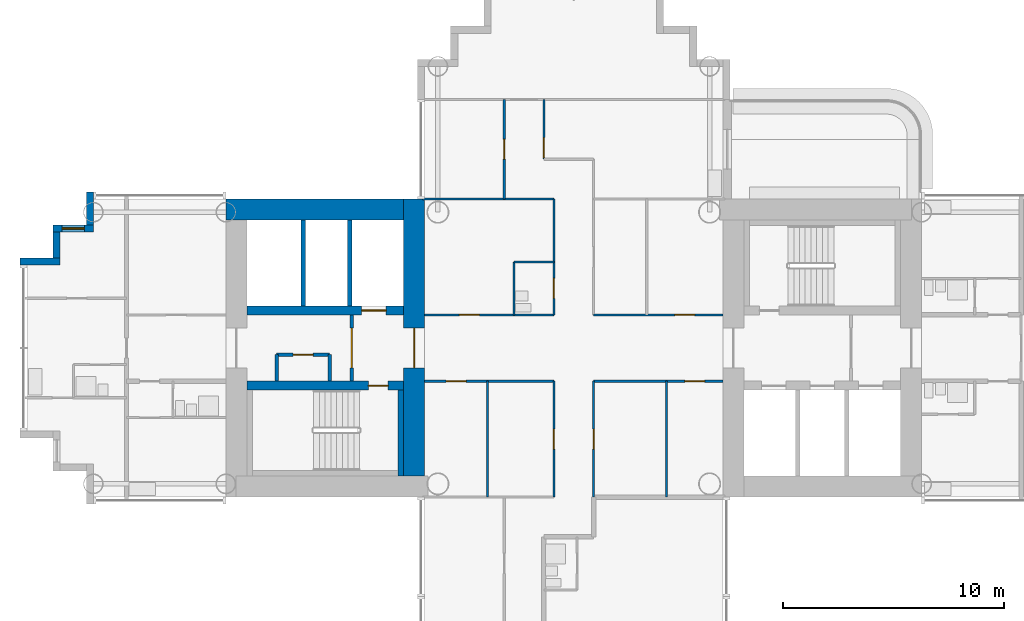
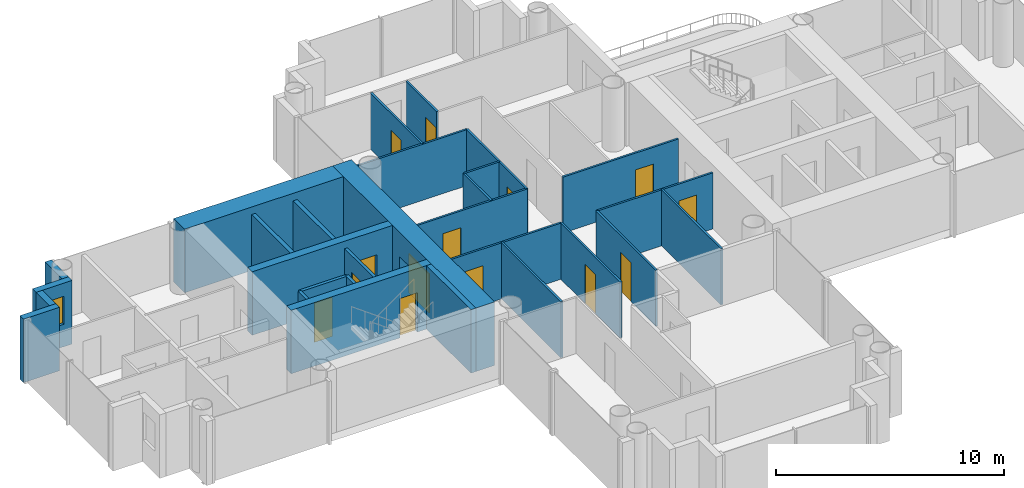
# One storey, part 10 of 22: 29 walls, 14 doors, 1 window, 15 openings.
"""IFC4 building model written with IfcOpenShell, lengths in metres."""

import ifcopenshell
import ifcopenshell.guid

model = None  # the IFC model being written
_history = None  # IfcOwnerHistory: only IFC2X3 demands one
_inside = {}  # id of a spatial element -> (the spatial element, [elements in it])
_under = {}  # id of a project, library or spatial element -> (it, [spatial elements below it])
_declared = {}  # id of a project -> (the project, [libraries it declares])
_typed = {}  # id of a type object -> (the type object, [elements of that type])
_made_of = {}  # id of a material, layer set ... -> (it, [elements and type objects made of it])


def new_model(schema):
    """Start an empty IFC model of exactly this schema.

    Asked for "IFC4X3", IfcOpenShell would pick the latest addendum, in which some entities
    have other attributes; the version numbers below select the first issue.
    IFC2X3 requires an IfcOwnerHistory on every rooted entity: one is made here for all.
    """
    global model, _history
    if schema == "IFC4X3":
        model = ifcopenshell.file(schema_version=(4, 3, 0, 0))
    else:
        model = ifcopenshell.file(schema=schema)
    _inside.clear()
    _under.clear()
    _declared.clear()
    _typed.clear()
    _made_of.clear()
    _history = None
    if model.schema == "IFC2X3":
        org = make("IfcOrganization", Name="unknown")
        user = make(
            "IfcPersonAndOrganization",
            ThePerson=make("IfcPerson", FamilyName="unknown"),
            TheOrganization=org,
        )
        app = make(
            "IfcApplication",
            ApplicationDeveloper=org,
            Version="unknown",
            ApplicationFullName="unknown",
            ApplicationIdentifier="unknown",
        )
        _history = make(
            "IfcOwnerHistory",
            OwningUser=user,
            OwningApplication=app,
            ChangeAction="ADDED",
            CreationDate=0,
        )
    return model


def make(cls, **values):
    """One entity of the class cls with the attributes given. An attribute that is None is left unset."""
    return model.create_entity(
        cls, **{name: value for name, value in values.items() if value is not None}
    )


def rooted(cls, **values):
    """An entity with a GlobalId (a new one), such as an element, a storey or a relation."""
    return make(cls, GlobalId=ifcopenshell.guid.new(), OwnerHistory=_history, **values)


def si_unit(unit_type, name, prefix=None):
    """IfcSIUnit, for example si_unit("LENGTHUNIT", "METRE", prefix="MILLI")."""
    return make("IfcSIUnit", UnitType=unit_type, Prefix=prefix, Name=name)


def assignment(units):
    """IfcUnitAssignment: the units of a project."""
    return None if units is None else make("IfcUnitAssignment", Units=units)


def point(xyz):
    """IfcCartesianPoint."""
    return None if xyz is None else make("IfcCartesianPoint", Coordinates=xyz)


def direction(xyz):
    """IfcDirection."""
    return None if xyz is None else make("IfcDirection", DirectionRatios=xyz)


def frame(location, z_axis=None, x_axis=None):
    """IfcAxis2Placement3D, a coordinate frame: its origin and axes. An axis left out is left unset."""
    return make(
        "IfcAxis2Placement3D",
        Location=point(location),
        Axis=direction(z_axis),
        RefDirection=direction(x_axis),
    )


def frame_2d(location, x_axis=None):
    """IfcAxis2Placement2D, a coordinate frame in the plane: its origin and x axis."""
    return make(
        "IfcAxis2Placement2D", Location=point(location), RefDirection=direction(x_axis)
    )


def origin():
    """The frame at (0, 0, 0) with its axes left unset."""
    return frame((0.0, 0.0, 0.0))


def place(relative_to, where):
    """IfcLocalPlacement: puts the frame where relative to a parent placement (None: the world)."""
    return make(
        "IfcLocalPlacement", PlacementRelTo=relative_to, RelativePlacement=where
    )


def context(
    kind, dimensions, precision=None, world=None, true_north=None, identifier=None
):
    """IfcGeometricRepresentationContext, for example the 3D "Model" context."""
    return make(
        "IfcGeometricRepresentationContext",
        ContextIdentifier=identifier,
        ContextType=kind,
        CoordinateSpaceDimension=dimensions,
        Precision=precision,
        WorldCoordinateSystem=world,
        TrueNorth=true_north,
    )


def subcontext(parent, identifier, kind, view, scale=None):
    """IfcGeometricRepresentationSubContext, for example "Body" below "Model"."""
    return make(
        "IfcGeometricRepresentationSubContext",
        ContextIdentifier=identifier,
        ContextType=kind,
        ParentContext=parent,
        TargetScale=scale,
        TargetView=view,
    )


def project(units=None, contexts=None):
    """IfcProject with its units and contexts."""
    return rooted(
        "IfcProject",
        Name="project",
        RepresentationContexts=contexts,
        UnitsInContext=assignment(units),
    )


def spatial(cls, under=None, at=None, **own):
    """A site, building, storey or space (cls), placed at a placement, below another one or the project."""
    s = rooted(cls, ObjectPlacement=at, **own)
    if under is not None:
        _under.setdefault(under.id(), (under, []))[1].append(s)
    return s


def profile(cls, at=None, kind="AREA", **sizes):
    """A parametric profile (cls). Its sizes go by their IFC names, for example OverallWidth=200.0."""
    return make(cls, ProfileType=kind, Position=at, **sizes)


def rectangle(**sizes):
    """IfcRectangleProfileDef."""
    return profile("IfcRectangleProfileDef", **sizes)


def extrude(swept, where, along, depth):
    """IfcExtrudedAreaSolid: the profile swept, set in the frame where, extruded along a direction by depth."""
    return make(
        "IfcExtrudedAreaSolid",
        SweptArea=swept,
        Position=where,
        ExtrudedDirection=direction(along),
        Depth=depth,
    )


def shape(context_of_items, identifier, shape_type, items):
    """IfcShapeRepresentation: the items that make up one representation, for example the "Body"."""
    return make(
        "IfcShapeRepresentation",
        ContextOfItems=context_of_items,
        RepresentationIdentifier=identifier,
        RepresentationType=shape_type,
        Items=items,
    )


def material(Name=None, Category=None):
    """IfcMaterial."""
    return make("IfcMaterial", Name=Name, Category=Category)


def layer(
    of_material, thickness, ventilated=None, Name=None, Category=None, Priority=None
):
    """IfcMaterialLayer: one layer of a wall or slab, of a material (None: an air gap)."""
    return make(
        "IfcMaterialLayer",
        Material=of_material,
        LayerThickness=thickness,
        IsVentilated=ventilated,
        Name=Name,
        Category=Category,
        Priority=Priority,
    )


def layer_set(layers, Name=None):
    """IfcMaterialLayerSet."""
    return make("IfcMaterialLayerSet", MaterialLayers=layers, LayerSetName=Name)


def made_of(thing, what):
    """Note that an element or type object is made of a material, layer set ...; save() writes the relation."""
    if what is not None:
        _made_of.setdefault(what.id(), (what, []))[1].append(thing)
    return thing


def type_object(cls, material=None, **own):
    """A type object (cls), such as IfcWallType, which elements share."""
    return made_of(rooted(cls, **own), material)


def element(
    cls,
    number,
    at=None,
    inside=None,
    cuts=None,
    type_object=None,
    material=None,
    context=None,
    identifier="Body",
    shape_type=None,
    held_by="IfcProductDefinitionShape",
    body=None,
    shapes=None,
    **own,
):
    """One element of the class cls, such as IfcWall. Its Tag is "e" and its number.

    at: its placement. inside: the storey or other place that contains it. cuts: it is an
    opening in that element (IfcRelVoidsElement). A single representation is given by context,
    identifier, shape_type and body (its items); several are given by shapes. held_by: the class
    of the entity that holds the representations. save() writes the other relations.
    """
    e = rooted(cls, Tag="e%d" % number, ObjectPlacement=at, **own)
    if body is not None:
        shapes = [shape(context, identifier, shape_type, body)]
    if shapes is not None:
        e.Representation = make(held_by, Representations=shapes)
    if inside is not None:
        _inside.setdefault(inside.id(), (inside, []))[1].append(e)
    if cuts is not None:
        rooted(
            "IfcRelVoidsElement", RelatingBuildingElement=cuts, RelatedOpeningElement=e
        )
    if type_object is not None:
        _typed.setdefault(type_object.id(), (type_object, []))[1].append(e)
    return made_of(e, material)


def fill(opening, filler):
    """IfcRelFillsElement: the door or window that sits in an opening."""
    return rooted(
        "IfcRelFillsElement",
        RelatingOpeningElement=opening,
        RelatedBuildingElement=filler,
    )


def aggregate(whole, parts):
    """IfcRelAggregates: a whole, such as a stair, and the parts it consists of."""
    return rooted("IfcRelAggregates", RelatingObject=whole, RelatedObjects=parts)


def save(model, path):
    """Write the relations noted so far, then the file.

    IfcRelAggregates (storeys below a building ...), IfcRelContainedInSpatialStructure (elements
    in a storey), IfcRelDefinesByType, IfcRelAssociatesMaterial and IfcRelDeclares: one each for
    every whole, place, type object, material and project.
    """
    for whole, parts in _under.values():
        aggregate(whole, parts)
    for where, things in _inside.values():
        rooted(
            "IfcRelContainedInSpatialStructure",
            RelatedElements=things,
            RelatingStructure=where,
        )
    for kind, things in _typed.values():
        rooted("IfcRelDefinesByType", RelatedObjects=things, RelatingType=kind)
    for what, things in _made_of.values():
        rooted("IfcRelAssociatesMaterial", RelatedObjects=things, RelatingMaterial=what)
    for by, libraries in _declared.values():
        rooted("IfcRelDeclares", RelatingContext=by, RelatedDefinitions=libraries)
    model.write(path)


model = new_model("IFC4")

# Units and contexts
model_context = context("Model", 3, precision=1e-05, world=origin(), true_north=direction((0.0, 1.0)))
body_context = subcontext(model_context, "Body", "Model", "MODEL_VIEW")
ifc_project = project(units=[si_unit("LENGTHUNIT", "METRE"), si_unit("AREAUNIT", "SQUARE_METRE"), si_unit("VOLUMEUNIT", "CUBIC_METRE"), si_unit("PLANEANGLEUNIT", "RADIAN"), si_unit("MASSUNIT", "GRAM", prefix="KILO")], contexts=[model_context])

# Site, building, storey
site_placement = place(None, origin())
site = spatial("IfcSite", under=ifc_project, at=site_placement, CompositionType="ELEMENT")
building_placement = place(site_placement, origin())
building = spatial("IfcBuilding", under=site, at=building_placement, Name="Ipe Terrace Towers", CompositionType="ELEMENT")
storey_placement = place(building_placement, frame((0.0, 0.0, 110.60009765625)))
storey = spatial("IfcBuildingStorey", under=building, at=storey_placement, Name="L30", CompositionType="ELEMENT", Elevation=110.60009765625)

# Wall
ifc_material_1 = material(Name="Concrete C40/50 with buff precast cladding", Category="concrete")
ifc_layer_1 = layer(ifc_material_1, 0.320068359375)
ifc_layer_set_1 = layer_set([ifc_layer_1], Name="BUFF CLADDING WALL 320")
wall_type_1 = type_object("IfcWallType", Name="BUFF CLADDING WALL 320", PredefinedType="STANDARD", material=ifc_layer_set_1)
wall_1_placement = place(storey_placement, frame((-57.909912109375, 7.070068359375, -0.300048828125), z_axis=(0.0, 0.0, 1.0), x_axis=(0.0, -1.0, 0.0)))
element("IfcWall", 1, at=wall_1_placement, inside=storey, type_object=wall_type_1, Name="T1-W-L30-47a wall", PredefinedType="STANDARD", context=body_context, shape_type="SweptSolid", body=[
    extrude(rectangle(XDim=1.5, YDim=0.320068359375, at=frame_2d((0.75, 0.0))), origin(), (0.0, 0.0, 1.0), 3.39990234375),
])

# Wall, opening, window
wall_2_placement = place(storey_placement, frame((-57.75, 5.409912109375, -0.300048828125), z_axis=(0.0, 0.0, 1.0), x_axis=(-1.0, 0.0, 0.0)))
wall_2 = element("IfcWall", 2, at=wall_2_placement, inside=storey, type_object=wall_type_1, Name="T1-W-L30-48a wall", PredefinedType="STANDARD", context=body_context, shape_type="SweptSolid", body=[
    extrude(rectangle(XDim=1.820068359375, YDim=0.320068359375, at=frame_2d((0.91015625, 0.0))), origin(), (0.0, 0.0, 1.0), 3.39990234375),
])
opening_1_placement = place(wall_2_placement, frame((0.409912109375, 0.0, 1.199951171875)))
opening_1 = element("IfcOpeningElement", 3, at=opening_1_placement, cuts=wall_2, Name="Opening T1-W-05-L30-02", PredefinedType="OPENING", context=body_context, shape_type="SweptSolid", body=[
    extrude(rectangle(XDim=1.0, YDim=1.5, at=frame_2d((0.5, 0.75))), frame((0.0, 0.169921875, 0.0), z_axis=(0.0, -1.0, 0.0), x_axis=(1.0, 0.0, 0.0)), (0.0, 0.0, 1.0), 0.340087890625),
])
ifc_material_2 = material(Name="Glass, clear laminated", Category="glass")
window_type = type_object("IfcWindowType", Name="DWELLING WINDOW 1000 x 1500", PartitioningType="SINGLE_PANEL", PredefinedType="WINDOW", material=ifc_material_2)
window_placement = place(opening_1_placement, origin())
window = element("IfcWindow", 4, at=window_placement, inside=storey, type_object=window_type, Name="W-05 window", OverallHeight=1.5, OverallWidth=1.0, PartitioningType="SINGLE_PANEL", PredefinedType="WINDOW", context=body_context, shape_type="SweptSolid", body=[
    extrude(rectangle(XDim=1.0, YDim=1.5, at=frame_2d((0.5, 0.75))), frame((0.0, 0.030029296875, 0.0), z_axis=(0.0, -1.0, 0.0), x_axis=(1.0, 0.0, 0.0)), (0.0, 0.0, 1.0), 0.06005859375),
])
fill(opening_1, window)

# Walls
wall_3_placement = place(storey_placement, frame((-59.409912109375, 5.25, -0.300048828125), z_axis=(0.0, 0.0, 1.0), x_axis=(0.0, -1.0, 0.0)))
element("IfcWall", 5, at=wall_3_placement, inside=storey, type_object=wall_type_1, Name="T1-W-L30-49a wall", PredefinedType="STANDARD", context=body_context, shape_type="SweptSolid", body=[
    extrude(rectangle(XDim=1.179931640625, YDim=0.320068359375, at=frame_2d((0.58984375, 0.0))), origin(), (0.0, 0.0, 1.0), 3.39990234375),
])
wall_4_placement = place(storey_placement, frame((-59.25, 3.909912109375, -0.300048828125), z_axis=(0.0, 0.0, 1.0), x_axis=(-1.0, 0.0, 0.0)))
element("IfcWall", 6, at=wall_4_placement, inside=storey, type_object=wall_type_1, Name="T1-W-L30-50a wall", PredefinedType="STANDARD", context=body_context, shape_type="SweptSolid", body=[
    extrude(rectangle(XDim=1.820068359375, YDim=0.320068359375, at=frame_2d((0.91015625, 0.0))), origin(), (0.0, 0.0, 1.0), 3.39990234375),
])
ifc_material_3 = material(Name="Gypsum board partition", Category="plasterboard")
ifc_layer_2 = layer(ifc_material_3, 0.10009765625)
ifc_layer_set_2 = layer_set([ifc_layer_2], Name="Gypsum board partition 100 mm")
wall_type_2 = type_object("IfcWallType", Name="Gypsum board partition 100 mm", PredefinedType="PARTITIONING", material=ifc_layer_set_2)
wall_5_placement = place(storey_placement, frame((-39.89990234375, -6.75, 0.0), z_axis=(0.0, 0.0, 1.0), x_axis=(0.0, 1.0, 0.0)))
element("IfcWall", 7, at=wall_5_placement, inside=storey, type_object=wall_type_2, Name="Gypsum board partition T1 L30 W04", PredefinedType="PARTITIONING", context=body_context, shape_type="SweptSolid", body=[
    extrude(rectangle(XDim=5.25, YDim=0.10009765625, at=frame_2d((2.625, 0.0))), origin(), (0.0, 0.0, 1.0), 3.0),
])

# Wall, opening, door
wall_6_placement = place(storey_placement, frame((-39.14990234375, 6.75, 0.0), z_axis=(0.0, 0.0, 1.0), x_axis=(0.0, 1.0, 0.0)))
wall_6 = element("IfcWall", 8, at=wall_6_placement, inside=storey, type_object=wall_type_2, Name="Gypsum board partition T1 L30 W06", PredefinedType="PARTITIONING", context=body_context, shape_type="SweptSolid", body=[
    extrude(rectangle(XDim=4.5, YDim=0.10009765625, at=frame_2d((2.25, 0.0))), origin(), (0.0, 0.0, 1.0), 3.0),
])
opening_2_placement = place(wall_6_placement, frame((1.800048828125, 0.0, 0.0)))
opening_2 = element("IfcOpeningElement", 9, at=opening_2_placement, cuts=wall_6, Name="Opening T1-Z2F-09", PredefinedType="OPENING", context=body_context, shape_type="SweptSolid", body=[
    extrude(rectangle(XDim=0.89990234375, YDim=2.10009765625, at=frame_2d((0.449951171875, 1.050048828125))), frame((0.0, 0.06005859375, 0.0), z_axis=(0.0, -1.0, 0.0), x_axis=(1.0, 0.0, 0.0)), (0.0, 0.0, 1.0), 0.1201171875),
])
ifc_material_4 = material(Name="Timber door leaf", Category="wood")
door_type_1 = type_object("IfcDoorType", Name="Lounge door 900 x 2100", OperationType="NOTDEFINED", PredefinedType="DOOR", material=ifc_material_4)
door_1_placement = place(opening_2_placement, origin())
door_1 = element("IfcDoor", 10, at=door_1_placement, inside=storey, type_object=door_type_1, Name="Lounge door T1-Z2F-09", OperationType="SINGLE_SWING_LEFT", OverallHeight=2.10009765625, OverallWidth=0.89990234375, PredefinedType="DOOR", context=body_context, shape_type="SweptSolid", body=[
    extrude(rectangle(XDim=0.89990234375, YDim=2.10009765625, at=frame_2d((0.449951171875, 1.050048828125))), frame((0.0, 0.02490234375, 0.0), z_axis=(0.0, -1.0, 0.0), x_axis=(1.0, 0.0, 0.0)), (0.0, 0.0, 1.0), 0.050048828125),
])
fill(opening_2, door_1)

# Wall
wall_7_placement = place(storey_placement, frame((-38.699951171875, 1.5, 0.0), z_axis=(0.0, 0.0, 1.0), x_axis=(0.0, 1.0, 0.0)))
element("IfcWall", 11, at=wall_7_placement, inside=storey, type_object=wall_type_2, Name="Gypsum board partition T1 L30 W07", PredefinedType="PARTITIONING", context=body_context, shape_type="SweptSolid", body=[
    extrude(rectangle(XDim=2.39990234375, YDim=0.10009765625, at=frame_2d((1.199951171875, 0.0))), origin(), (0.0, 0.0, 1.0), 3.0),
])

# Wall, opening, door
wall_8_placement = place(storey_placement, frame((-37.35009765625, 8.550048828125, 0.0), z_axis=(0.0, 0.0, 1.0), x_axis=(0.0, 1.0, 0.0)))
wall_8 = element("IfcWall", 12, at=wall_8_placement, inside=storey, type_object=wall_type_2, Name="Gypsum board partition T1 L30 W08", PredefinedType="PARTITIONING", context=body_context, shape_type="SweptSolid", body=[
    extrude(rectangle(XDim=2.699951171875, YDim=0.10009765625, at=frame_2d((1.35009765625, 0.0))), origin(), (0.0, 0.0, 1.0), 3.0),
])
opening_3_placement = place(wall_8_placement, frame((0.070068359375, 0.0, 0.0)))
opening_3 = element("IfcOpeningElement", 13, at=opening_3_placement, cuts=wall_8, Name="Opening T1-Z2F-10", PredefinedType="OPENING", context=body_context, shape_type="SweptSolid", body=[
    extrude(rectangle(XDim=0.89990234375, YDim=2.10009765625, at=frame_2d((0.449951171875, 1.050048828125))), frame((0.0, 0.06005859375, 0.0), z_axis=(0.0, -1.0, 0.0), x_axis=(1.0, 0.0, 0.0)), (0.0, 0.0, 1.0), 0.1201171875),
])
door_2_placement = place(opening_3_placement, origin())
door_2 = element("IfcDoor", 14, at=door_2_placement, inside=storey, type_object=door_type_1, Name="Lounge door T1-Z2F-10", OperationType="SINGLE_SWING_LEFT", OverallHeight=2.10009765625, OverallWidth=0.89990234375, PredefinedType="DOOR", context=body_context, shape_type="SweptSolid", body=[
    extrude(rectangle(XDim=0.89990234375, YDim=2.10009765625, at=frame_2d((0.449951171875, 1.050048828125))), frame((0.0, 0.02490234375, 0.0), z_axis=(0.0, -1.0, 0.0), x_axis=(1.0, 0.0, 0.0)), (0.0, 0.0, 1.0), 0.050048828125),
])
fill(opening_3, door_2)

wall_9_placement = place(storey_placement, frame((-36.89990234375, -6.75, 0.0), z_axis=(0.0, 0.0, 1.0), x_axis=(0.0, 1.0, 0.0)))
wall_9 = element("IfcWall", 15, at=wall_9_placement, inside=storey, type_object=wall_type_2, Name="Gypsum board partition T1 L30 W10", PredefinedType="PARTITIONING", context=body_context, shape_type="SweptSolid", body=[
    extrude(rectangle(XDim=5.25, YDim=0.10009765625, at=frame_2d((2.625, 0.0))), origin(), (0.0, 0.0, 1.0), 3.0),
])
opening_4_placement = place(wall_9_placement, frame((2.175048828125, 0.0, 0.0)))
opening_4 = element("IfcOpeningElement", 16, at=opening_4_placement, cuts=wall_9, Name="Opening T1-Z2F-05", PredefinedType="OPENING", context=body_context, shape_type="SweptSolid", body=[
    extrude(rectangle(XDim=0.89990234375, YDim=2.10009765625, at=frame_2d((0.449951171875, 1.050048828125))), frame((0.0, 0.06005859375, 0.0), z_axis=(0.0, -1.0, 0.0), x_axis=(1.0, 0.0, 0.0)), (0.0, 0.0, 1.0), 0.1201171875),
])
door_3_placement = place(opening_4_placement, origin())
door_3 = element("IfcDoor", 17, at=door_3_placement, inside=storey, type_object=door_type_1, Name="Lounge door T1-Z2F-05", OperationType="SINGLE_SWING_LEFT", OverallHeight=2.10009765625, OverallWidth=0.89990234375, PredefinedType="DOOR", context=body_context, shape_type="SweptSolid", body=[
    extrude(rectangle(XDim=0.89990234375, YDim=2.10009765625, at=frame_2d((0.449951171875, 1.050048828125))), frame((0.0, 0.02490234375, 0.0), z_axis=(0.0, -1.0, 0.0), x_axis=(1.0, 0.0, 0.0)), (0.0, 0.0, 1.0), 0.050048828125),
])
fill(opening_4, door_3)

wall_10_placement = place(storey_placement, frame((-36.89990234375, 1.5, 0.0), z_axis=(0.0, 0.0, 1.0), x_axis=(0.0, 1.0, 0.0)))
wall_10 = element("IfcWall", 18, at=wall_10_placement, inside=storey, type_object=wall_type_2, Name="Gypsum board partition T1 L30 W11", PredefinedType="PARTITIONING", context=body_context, shape_type="SweptSolid", body=[
    extrude(rectangle(XDim=5.25, YDim=0.10009765625, at=frame_2d((2.625, 0.0))), origin(), (0.0, 0.0, 1.0), 3.0),
])
opening_5_placement = place(wall_10_placement, frame((0.75, 0.0, 0.0)))
opening_5 = element("IfcOpeningElement", 19, at=opening_5_placement, cuts=wall_10, Name="Opening T1-Z2F-01", PredefinedType="OPENING", context=body_context, shape_type="SweptSolid", body=[
    extrude(rectangle(XDim=0.89990234375, YDim=2.10009765625, at=frame_2d((0.449951171875, 1.050048828125))), frame((0.0, 0.06005859375, 0.0), z_axis=(0.0, -1.0, 0.0), x_axis=(1.0, 0.0, 0.0)), (0.0, 0.0, 1.0), 0.1201171875),
])
ifc_material_5 = material(Name="Timber door leaf", Category="wood")
door_type_2 = type_object("IfcDoorType", Name="Bathroom door 900 x 2100", OperationType="NOTDEFINED", PredefinedType="DOOR", material=ifc_material_5)
door_4_placement = place(opening_5_placement, origin())
door_4 = element("IfcDoor", 20, at=door_4_placement, inside=storey, type_object=door_type_2, Name="Bathroom door T1-Z2F-01", OperationType="SINGLE_SWING_RIGHT", OverallHeight=2.10009765625, OverallWidth=0.89990234375, PredefinedType="DOOR", context=body_context, shape_type="SweptSolid", body=[
    extrude(rectangle(XDim=0.89990234375, YDim=2.10009765625, at=frame_2d((0.449951171875, 1.050048828125))), frame((0.0, 0.02490234375, 0.0), z_axis=(0.0, -1.0, 0.0), x_axis=(1.0, 0.0, 0.0)), (0.0, 0.0, 1.0), 0.050048828125),
])
fill(opening_5, door_4)

wall_11_placement = place(storey_placement, frame((-35.10009765625, -6.75, 0.0), z_axis=(0.0, 0.0, 1.0), x_axis=(0.0, 1.0, 0.0)))
wall_11 = element("IfcWall", 21, at=wall_11_placement, inside=storey, type_object=wall_type_2, Name="Gypsum board partition T1 L30 W13", PredefinedType="PARTITIONING", context=body_context, shape_type="SweptSolid", body=[
    extrude(rectangle(XDim=5.25, YDim=0.10009765625, at=frame_2d((2.625, 0.0))), origin(), (0.0, 0.0, 1.0), 3.0),
])
opening_6_placement = place(wall_11_placement, frame((2.175048828125, 0.0, 0.0)))
opening_6 = element("IfcOpeningElement", 22, at=opening_6_placement, cuts=wall_11, Name="Opening T1-Z2F-07", PredefinedType="OPENING", context=body_context, shape_type="SweptSolid", body=[
    extrude(rectangle(XDim=0.89990234375, YDim=2.10009765625, at=frame_2d((0.449951171875, 1.050048828125))), frame((0.0, 0.06005859375, 0.0), z_axis=(0.0, -1.0, 0.0), x_axis=(1.0, 0.0, 0.0)), (0.0, 0.0, 1.0), 0.1201171875),
])
door_5_placement = place(opening_6_placement, origin())
door_5 = element("IfcDoor", 23, at=door_5_placement, inside=storey, type_object=door_type_1, Name="Lounge door T1-Z2F-07", OperationType="SINGLE_SWING_RIGHT", OverallHeight=2.10009765625, OverallWidth=0.89990234375, PredefinedType="DOOR", context=body_context, shape_type="SweptSolid", body=[
    extrude(rectangle(XDim=0.89990234375, YDim=2.10009765625, at=frame_2d((0.449951171875, 1.050048828125))), frame((0.0, 0.02490234375, 0.0), z_axis=(0.0, -1.0, 0.0), x_axis=(1.0, 0.0, 0.0)), (0.0, 0.0, 1.0), 0.050048828125),
])
fill(opening_6, door_5)

# Wall
wall_12_placement = place(storey_placement, frame((-31.800048828125, -6.75, 0.0), z_axis=(0.0, 0.0, 1.0), x_axis=(0.0, 1.0, 0.0)))
element("IfcWall", 24, at=wall_12_placement, inside=storey, type_object=wall_type_2, Name="Gypsum board partition T1 L30 W17", PredefinedType="PARTITIONING", context=body_context, shape_type="SweptSolid", body=[
    extrude(rectangle(XDim=5.25, YDim=0.10009765625, at=frame_2d((2.625, 0.0))), origin(), (0.0, 0.0, 1.0), 3.0),
])

# Wall, opening, door
wall_13_placement = place(storey_placement, frame((-42.75, -1.5, 0.0), z_axis=(0.0, 0.0, 1.0), x_axis=(1.0, 0.0, 0.0)))
wall_13 = element("IfcWall", 25, at=wall_13_placement, inside=storey, type_object=wall_type_2, Name="Gypsum board partition T1 L30 W32", PredefinedType="PARTITIONING", context=body_context, shape_type="SweptSolid", body=[
    extrude(rectangle(XDim=5.85009765625, YDim=0.10009765625, at=frame_2d((2.925048828125, 0.0))), origin(), (0.0, 0.0, 1.0), 3.0),
])
opening_7_placement = place(wall_13_placement, frame((0.97509765625, 0.0, 0.0)))
opening_7 = element("IfcOpeningElement", 26, at=opening_7_placement, cuts=wall_13, Name="Opening T1-Z2F-06", PredefinedType="OPENING", context=body_context, shape_type="SweptSolid", body=[
    extrude(rectangle(XDim=0.89990234375, YDim=2.10009765625, at=frame_2d((0.449951171875, 1.050048828125))), frame((0.0, 0.06005859375, 0.0), z_axis=(0.0, -1.0, 0.0), x_axis=(1.0, 0.0, 0.0)), (0.0, 0.0, 1.0), 0.1201171875),
])
door_6_placement = place(opening_7_placement, origin())
door_6 = element("IfcDoor", 27, at=door_6_placement, inside=storey, type_object=door_type_1, Name="Lounge door T1-Z2F-06", OperationType="SINGLE_SWING_LEFT", OverallHeight=2.10009765625, OverallWidth=0.89990234375, PredefinedType="DOOR", context=body_context, shape_type="SweptSolid", body=[
    extrude(rectangle(XDim=0.89990234375, YDim=2.10009765625, at=frame_2d((0.449951171875, 1.050048828125))), frame((0.0, 0.02490234375, 0.0), z_axis=(0.0, -1.0, 0.0), x_axis=(1.0, 0.0, 0.0)), (0.0, 0.0, 1.0), 0.050048828125),
])
fill(opening_7, door_6)

wall_14_placement = place(storey_placement, frame((-35.10009765625, -1.5, 0.0), z_axis=(0.0, 0.0, 1.0), x_axis=(1.0, 0.0, 0.0)))
wall_14 = element("IfcWall", 28, at=wall_14_placement, inside=storey, type_object=wall_type_2, Name="Gypsum board partition T1 L30 W33", PredefinedType="PARTITIONING", context=body_context, shape_type="SweptSolid", body=[
    extrude(rectangle(XDim=5.85009765625, YDim=0.10009765625, at=frame_2d((2.925048828125, 0.0))), origin(), (0.0, 0.0, 1.0), 3.0),
])
opening_8_placement = place(wall_14_placement, frame((4.125, 0.0, 0.0)))
opening_8 = element("IfcOpeningElement", 29, at=opening_8_placement, cuts=wall_14, Name="Opening T1-Z2F-08", PredefinedType="OPENING", context=body_context, shape_type="SweptSolid", body=[
    extrude(rectangle(XDim=0.89990234375, YDim=2.10009765625, at=frame_2d((0.449951171875, 1.050048828125))), frame((0.0, 0.06005859375, 0.0), z_axis=(0.0, -1.0, 0.0), x_axis=(1.0, 0.0, 0.0)), (0.0, 0.0, 1.0), 0.1201171875),
])
door_7_placement = place(opening_8_placement, origin())
door_7 = element("IfcDoor", 30, at=door_7_placement, inside=storey, type_object=door_type_1, Name="Lounge door T1-Z2F-08", OperationType="SINGLE_SWING_RIGHT", OverallHeight=2.10009765625, OverallWidth=0.89990234375, PredefinedType="DOOR", context=body_context, shape_type="SweptSolid", body=[
    extrude(rectangle(XDim=0.89990234375, YDim=2.10009765625, at=frame_2d((0.449951171875, 1.050048828125))), frame((0.0, 0.02490234375, 0.0), z_axis=(0.0, -1.0, 0.0), x_axis=(1.0, 0.0, 0.0)), (0.0, 0.0, 1.0), 0.050048828125),
])
fill(opening_8, door_7)

wall_15_placement = place(storey_placement, frame((-42.75, 1.5, 0.0), z_axis=(0.0, 0.0, 1.0), x_axis=(1.0, 0.0, 0.0)))
wall_15 = element("IfcWall", 31, at=wall_15_placement, inside=storey, type_object=wall_type_2, Name="Gypsum board partition T1 L30 W38", PredefinedType="PARTITIONING", context=body_context, shape_type="SweptSolid", body=[
    extrude(rectangle(XDim=5.85009765625, YDim=0.10009765625, at=frame_2d((2.925048828125, 0.0))), origin(), (0.0, 0.0, 1.0), 3.0),
])
opening_9_placement = place(wall_15_placement, frame((1.574951171875, 0.0, 0.0)))
opening_9 = element("IfcOpeningElement", 32, at=opening_9_placement, cuts=wall_15, Name="Opening T1-Z2F-04", PredefinedType="OPENING", context=body_context, shape_type="SweptSolid", body=[
    extrude(rectangle(XDim=0.89990234375, YDim=2.10009765625, at=frame_2d((0.449951171875, 1.050048828125))), frame((0.0, 0.06005859375, 0.0), z_axis=(0.0, -1.0, 0.0), x_axis=(1.0, 0.0, 0.0)), (0.0, 0.0, 1.0), 0.1201171875),
])
door_8_placement = place(opening_9_placement, origin())
door_8 = element("IfcDoor", 33, at=door_8_placement, inside=storey, type_object=door_type_1, Name="Lounge door T1-Z2F-04", OperationType="SINGLE_SWING_RIGHT", OverallHeight=2.10009765625, OverallWidth=0.89990234375, PredefinedType="DOOR", context=body_context, shape_type="SweptSolid", body=[
    extrude(rectangle(XDim=0.89990234375, YDim=2.10009765625, at=frame_2d((0.449951171875, 1.050048828125))), frame((0.0, 0.02490234375, 0.0), z_axis=(0.0, -1.0, 0.0), x_axis=(1.0, 0.0, 0.0)), (0.0, 0.0, 1.0), 0.050048828125),
])
fill(opening_9, door_8)

wall_16_placement = place(storey_placement, frame((-35.10009765625, 1.5, 0.0), z_axis=(0.0, 0.0, 1.0), x_axis=(1.0, 0.0, 0.0)))
wall_16 = element("IfcWall", 34, at=wall_16_placement, inside=storey, type_object=wall_type_2, Name="Gypsum board partition T1 L30 W39", PredefinedType="PARTITIONING", context=body_context, shape_type="SweptSolid", body=[
    extrude(rectangle(XDim=5.85009765625, YDim=0.10009765625, at=frame_2d((2.925048828125, 0.0))), origin(), (0.0, 0.0, 1.0), 3.0),
])
opening_10_placement = place(wall_16_placement, frame((3.675048828125, 0.0, 0.0)))
opening_10 = element("IfcOpeningElement", 35, at=opening_10_placement, cuts=wall_16, Name="Opening T1-Z2F-03", PredefinedType="OPENING", context=body_context, shape_type="SweptSolid", body=[
    extrude(rectangle(XDim=0.89990234375, YDim=2.10009765625, at=frame_2d((0.449951171875, 1.050048828125))), frame((0.0, 0.06005859375, 0.0), z_axis=(0.0, -1.0, 0.0), x_axis=(1.0, 0.0, 0.0)), (0.0, 0.0, 1.0), 0.1201171875),
])
door_9_placement = place(opening_10_placement, origin())
door_9 = element("IfcDoor", 36, at=door_9_placement, inside=storey, type_object=door_type_1, Name="Lounge door T1-Z2F-03", OperationType="SINGLE_SWING_LEFT", OverallHeight=2.10009765625, OverallWidth=0.89990234375, PredefinedType="DOOR", context=body_context, shape_type="SweptSolid", body=[
    extrude(rectangle(XDim=0.89990234375, YDim=2.10009765625, at=frame_2d((0.449951171875, 1.050048828125))), frame((0.0, 0.02490234375, 0.0), z_axis=(0.0, -1.0, 0.0), x_axis=(1.0, 0.0, 0.0)), (0.0, 0.0, 1.0), 0.050048828125),
])
fill(opening_10, door_9)

# Walls
wall_17_placement = place(storey_placement, frame((-38.699951171875, 3.89990234375, 0.0), z_axis=(0.0, 0.0, 1.0), x_axis=(1.0, 0.0, 0.0)))
element("IfcWall", 37, at=wall_17_placement, inside=storey, type_object=wall_type_2, Name="Gypsum board partition T1 L30 W43", PredefinedType="PARTITIONING", context=body_context, shape_type="SweptSolid", body=[
    extrude(rectangle(XDim=1.800048828125, YDim=0.10009765625, at=frame_2d((0.89990234375, 0.0))), origin(), (0.0, 0.0, 1.0), 3.0),
])
wall_18_placement = place(storey_placement, frame((-42.85009765625, 6.75, 0.0), z_axis=(0.0, 0.0, 1.0), x_axis=(1.0, 0.0, 0.0)))
element("IfcWall", 38, at=wall_18_placement, inside=storey, type_object=wall_type_2, Name="Gypsum board partition T1 L30 W44", PredefinedType="PARTITIONING", context=body_context, shape_type="SweptSolid", body=[
    extrude(rectangle(XDim=5.9501953125, YDim=0.10009765625, at=frame_2d((2.97509765625, 0.0))), origin(), (0.0, 0.0, 1.0), 3.0),
])

# Wall, opening, door
ifc_material_6 = material(Name="Gypsum board partition", Category="plasterboard")
ifc_layer_3 = layer(ifc_material_6, 0.14990234375)
ifc_layer_set_3 = layer_set([ifc_layer_3], Name="Gypsum board partition 150 mm")
wall_type_3 = type_object("IfcWallType", Name="Gypsum board partition 150 mm", PredefinedType="PARTITIONING", material=ifc_layer_set_3)
wall_19_placement = place(storey_placement, frame((-46.050048828125, 1.5, 0.0), z_axis=(0.0, 0.0, 1.0), x_axis=(0.0, -1.0, 0.0)))
wall_19 = element("IfcWall", 39, at=wall_19_placement, inside=storey, type_object=wall_type_3, Name="Gypsum board partition T1 L30 t1c2-lobby-wall", PredefinedType="PARTITIONING", context=body_context, shape_type="SweptSolid", body=[
    extrude(rectangle(XDim=3.0, YDim=0.14990234375, at=frame_2d((1.5, 0.0))), origin(), (0.0, 0.0, 1.0), 3.0),
])
opening_11_placement = place(wall_19_placement, frame((0.60009765625, 0.0, 0.0)))
opening_11 = element("IfcOpeningElement", 40, at=opening_11_placement, cuts=wall_19, Name="Opening T1C2-VD", PredefinedType="OPENING", context=body_context, shape_type="SweptSolid", body=[
    extrude(rectangle(XDim=1.800048828125, YDim=2.10009765625, at=frame_2d((0.89990234375, 1.050048828125))), frame((0.0, 0.0849609375, 0.0), z_axis=(0.0, -1.0, 0.0), x_axis=(1.0, 0.0, 0.0)), (0.0, 0.0, 1.0), 0.169921875),
])
ifc_material_7 = material(Name="Fire-rated timber door leaf", Category="wood")
door_type_3 = type_object("IfcDoorType", Name="Lobby door 1800 x 2100 FD60", OperationType="NOTDEFINED", PredefinedType="DOOR", material=ifc_material_7)
door_10_placement = place(opening_11_placement, origin())
door_10 = element("IfcDoor", 41, at=door_10_placement, inside=storey, type_object=door_type_3, Name="Lobby door T1C2-VD", OperationType="SINGLE_SWING_LEFT", OverallHeight=2.10009765625, OverallWidth=1.800048828125, PredefinedType="DOOR", context=body_context, shape_type="SweptSolid", body=[
    extrude(rectangle(XDim=1.800048828125, YDim=2.10009765625, at=frame_2d((0.89990234375, 1.050048828125))), frame((0.0, 0.02490234375, 0.0), z_axis=(0.0, -1.0, 0.0), x_axis=(1.0, 0.0, 0.0)), (0.0, 0.0, 1.0), 0.050048828125),
])
fill(opening_11, door_10)

wall_20_placement = place(storey_placement, frame((-47.050048828125, -0.300048828125, 0.0), z_axis=(0.0, 0.0, 1.0), x_axis=(-1.0, 0.0, 0.0)))
wall_20 = element("IfcWall", 42, at=wall_20_placement, inside=storey, type_object=wall_type_3, Name="Gypsum board partition T1 L30 t1c2-cup-n-f", PredefinedType="PARTITIONING", context=body_context, shape_type="SweptSolid", body=[
    extrude(rectangle(XDim=2.39990234375, YDim=0.14990234375, at=frame_2d((1.199951171875, 0.0))), origin(), (0.0, 0.0, 1.0), 3.0),
])
opening_12_placement = place(wall_20_placement, frame((0.75, 0.0, 0.0)))
opening_12 = element("IfcOpeningElement", 43, at=opening_12_placement, cuts=wall_20, Name="Opening T1C2-SR", PredefinedType="OPENING", context=body_context, shape_type="SweptSolid", body=[
    extrude(rectangle(XDim=0.89990234375, YDim=2.10009765625, at=frame_2d((0.449951171875, 1.050048828125))), frame((0.0, 0.0849609375, 0.0), z_axis=(0.0, -1.0, 0.0), x_axis=(1.0, 0.0, 0.0)), (0.0, 0.0, 1.0), 0.169921875),
])
ifc_material_8 = material(Name="Fire-rated timber door leaf", Category="wood")
door_type_4 = type_object("IfcDoorType", Name="Service door 900 x 2100 FD60", OperationType="NOTDEFINED", PredefinedType="DOOR", material=ifc_material_8)
door_11_placement = place(opening_12_placement, origin())
door_11 = element("IfcDoor", 44, at=door_11_placement, inside=storey, type_object=door_type_4, Name="Service door T1C2-SR", OperationType="SINGLE_SWING_LEFT", OverallHeight=2.10009765625, OverallWidth=0.89990234375, PredefinedType="DOOR", context=body_context, shape_type="SweptSolid", body=[
    extrude(rectangle(XDim=0.89990234375, YDim=2.10009765625, at=frame_2d((0.449951171875, 1.050048828125))), frame((0.0, 0.02490234375, 0.0), z_axis=(0.0, -1.0, 0.0), x_axis=(1.0, 0.0, 0.0)), (0.0, 0.0, 1.0), 0.050048828125),
])
fill(opening_12, door_11)

# Walls
for number, where, z_axis, x_axis, name in (
    (45, (-47.050048828125, -0.300048828125, 0.0), (0.0, 0.0, 1.0), (0.0, -1.0, 0.0), "Gypsum board partition T1 L30 t1c2-cup-n-a"),
    (46, (-49.449951171875, -0.300048828125, 0.0), (0.0, 0.0, 1.0), (0.0, -1.0, 0.0), "Gypsum board partition T1 L30 t1c2-cup-n-b"),
):
    element("IfcWall", number, at=place(storey_placement, frame(where, z_axis=z_axis, x_axis=x_axis)), inside=storey, type_object=wall_type_3, Name=name, PredefinedType="PARTITIONING", context=body_context, shape_type="SweptSolid", body=[
        extrude(rectangle(XDim=1.199951171875, YDim=0.14990234375, at=frame_2d((0.60009765625, 0.0))), origin(), (0.0, 0.0, 1.0), 3.0),
    ])
ifc_material_9 = material(Name="Gypsum board party wall", Category="plasterboard")
ifc_layer_4 = layer(ifc_material_9, 0.199951171875)
ifc_layer_set_4 = layer_set([ifc_layer_4], Name="Gypsum board party wall 200 mm")
wall_type_4 = type_object("IfcWallType", Name="Gypsum board party wall 200 mm", PredefinedType="SOLIDWALL", material=ifc_layer_set_4)
for number, where, z_axis, x_axis, name in (
    (47, (-46.14990234375, 5.800048828125, 0.0), (0.0, 0.0, 1.0), (0.0, -1.0, 0.0), "Gypsum board party wall T1 L30 t1c2-shaft-div1"),
    (48, (-48.25, 5.800048828125, 0.0), (0.0, 0.0, 1.0), (0.0, -1.0, 0.0), "Gypsum board party wall T1 L30 t1c2-shaft-div2"),
):
    element("IfcWall", number, at=place(storey_placement, frame(where, z_axis=z_axis, x_axis=x_axis)), inside=storey, type_object=wall_type_4, Name=name, PredefinedType="SOLIDWALL", context=body_context, shape_type="SweptSolid", body=[
        extrude(rectangle(XDim=3.900146484375, YDim=0.199951171875, at=frame_2d((1.9501953125, 0.0))), origin(), (0.0, 0.0, 1.0), 3.0),
    ])
ifc_material_10 = material(Name="Concrete C50/60", Category="concrete")
ifc_layer_5 = layer(ifc_material_10, 0.25)
ifc_layer_set_5 = layer_set([ifc_layer_5], Name="RW250 CORE INFILL WALL 250 C50-60")
wall_type_5 = type_object("IfcWallType", Name="RW250 CORE INFILL WALL 250 C50-60", PredefinedType="SHEAR", material=ifc_layer_set_5)
wall_21_placement = place(storey_placement, frame((-43.824951171875, -1.89990234375, 0.0), z_axis=(0.0, 0.0, 1.0), x_axis=(0.0, -1.0, 0.0)))
element("IfcWall", 49, at=wall_21_placement, inside=storey, type_object=wall_type_5, Name="Core infill wall T1-C2-near", PredefinedType="SHEAR", context=body_context, shape_type="SweptSolid", body=[
    extrude(rectangle(XDim=3.900146484375, YDim=0.25, at=frame_2d((1.9501953125, 0.0))), origin(), (0.0, 0.0, 1.0), 3.39990234375),
])

# Wall, opening, door
ifc_material_11 = material(Name="Concrete C50/60", Category="concrete")
ifc_layer_6 = layer(ifc_material_11, 0.39990234375)
ifc_layer_set_6 = layer_set([ifc_layer_6], Name="RW400 CORE SPINE WALL 400 C50-60")
wall_type_6 = type_object("IfcWallType", Name="RW400 CORE SPINE WALL 400 C50-60", PredefinedType="SHEAR", material=ifc_layer_set_6)
wall_22_placement = place(storey_placement, frame((-50.800048828125, -1.699951171875, 0.0), z_axis=(0.0, 0.0, 1.0), x_axis=(1.0, 0.0, 0.0)))
wall_22 = element("IfcWall", 50, at=wall_22_placement, inside=storey, type_object=wall_type_6, Name="Core spine wall T1-C2-Z2-SW1", PredefinedType="SHEAR", context=body_context, shape_type="SweptSolid", body=[
    extrude(rectangle(XDim=7.10009765625, YDim=0.39990234375, at=frame_2d((3.550048828125, 0.0))), origin(), (0.0, 0.0, 1.0), 3.39990234375),
])
opening_13_placement = place(wall_22_placement, frame((5.5, 0.0, 0.0)))
opening_13 = element("IfcOpeningElement", 51, at=opening_13_placement, cuts=wall_22, Name="Opening T1C2-SD", PredefinedType="OPENING", context=body_context, shape_type="SweptSolid", body=[
    extrude(rectangle(XDim=0.89990234375, YDim=2.10009765625, at=frame_2d((0.449951171875, 1.050048828125))), frame((0.0, 0.2099609375, 0.0), z_axis=(0.0, -1.0, 0.0), x_axis=(1.0, 0.0, 0.0)), (0.0, 0.0, 1.0), 0.419921875),
])
ifc_material_12 = material(Name="Fire-rated timber door leaf", Category="wood")
door_type_5 = type_object("IfcDoorType", Name="Stair door 900 x 2100 FD60", OperationType="NOTDEFINED", PredefinedType="DOOR", material=ifc_material_12)
door_12_placement = place(opening_13_placement, origin())
door_12 = element("IfcDoor", 52, at=door_12_placement, inside=storey, type_object=door_type_5, Name="Stair door T1C2-SD", OperationType="SINGLE_SWING_RIGHT", OverallHeight=2.10009765625, OverallWidth=0.89990234375, PredefinedType="DOOR", context=body_context, shape_type="SweptSolid", body=[
    extrude(rectangle(XDim=0.89990234375, YDim=2.10009765625, at=frame_2d((0.449951171875, 1.050048828125))), frame((0.0, 0.02490234375, 0.0), z_axis=(0.0, -1.0, 0.0), x_axis=(1.0, 0.0, 0.0)), (0.0, 0.0, 1.0), 0.050048828125),
])
fill(opening_13, door_12)

wall_23_placement = place(storey_placement, frame((-50.800048828125, 1.699951171875, 0.0), z_axis=(0.0, 0.0, 1.0), x_axis=(1.0, 0.0, 0.0)))
wall_23 = element("IfcWall", 53, at=wall_23_placement, inside=storey, type_object=wall_type_6, Name="Core spine wall T1-C2-Z2-SW2", PredefinedType="SHEAR", context=body_context, shape_type="SweptSolid", body=[
    extrude(rectangle(XDim=7.10009765625, YDim=0.39990234375, at=frame_2d((3.550048828125, 0.0))), origin(), (0.0, 0.0, 1.0), 3.39990234375),
])
opening_14_placement = place(wall_23_placement, frame((5.199951171875, 0.0, 0.0)))
opening_14 = element("IfcOpeningElement", 54, at=opening_14_placement, cuts=wall_23, Name="Opening T1C2-LD1", PredefinedType="OPENING", context=body_context, shape_type="SweptSolid", body=[
    extrude(rectangle(XDim=1.10009765625, YDim=2.10009765625, at=frame_2d((0.550048828125, 1.050048828125))), frame((0.0, 0.2099609375, 0.0), z_axis=(0.0, -1.0, 0.0), x_axis=(1.0, 0.0, 0.0)), (0.0, 0.0, 1.0), 0.419921875),
])
ifc_material_13 = material(Name="Fire-rated timber door leaf", Category="wood")
door_type_6 = type_object("IfcDoorType", Name="Sliding door 1100 x 2100 FD60", OperationType="SLIDING_TO_LEFT", PredefinedType="DOOR", material=ifc_material_13)
door_13_placement = place(opening_14_placement, origin())
door_13 = element("IfcDoor", 55, at=door_13_placement, inside=storey, type_object=door_type_6, Name="Sliding door T1C2-LD1", OperationType="SLIDING_TO_LEFT", OverallHeight=2.10009765625, OverallWidth=1.10009765625, PredefinedType="DOOR", context=body_context, shape_type="SweptSolid", body=[
    extrude(rectangle(XDim=1.10009765625, YDim=2.10009765625, at=frame_2d((0.550048828125, 1.050048828125))), frame((0.0, 0.02490234375, 0.0), z_axis=(0.0, -1.0, 0.0), x_axis=(1.0, 0.0, 0.0)), (0.0, 0.0, 1.0), 0.050048828125),
])
fill(opening_14, door_13)

ifc_material_14 = material(Name="Concrete C50/60", Category="concrete")
ifc_layer_7 = layer(ifc_material_14, 0.949951171875)
ifc_layer_set_7 = layer_set([ifc_layer_7], Name="RW950 CORE WALL 950 C50-60")
wall_type_7 = type_object("IfcWallType", Name="RW950 CORE WALL 950 C50-60", PredefinedType="SHEAR", material=ifc_layer_set_7)
wall_24_placement = place(storey_placement, frame((-43.22509765625, -5.800048828125, 0.0), z_axis=(0.0, 0.0, 1.0), x_axis=(0.0, 1.0, 0.0)))
wall_24 = element("IfcWall", 56, at=wall_24_placement, inside=storey, type_object=wall_type_7, Name="Core wall T1-C2-Z2-W02", PredefinedType="SHEAR", context=body_context, shape_type="SweptSolid", body=[
    extrude(rectangle(XDim=12.550048828125, YDim=0.949951171875, at=frame_2d((6.27490234375, 0.0))), origin(), (0.0, 0.0, 1.0), 3.39990234375),
])
opening_15_placement = place(wall_24_placement, frame((4.89990234375, 0.0, 0.0)))
opening_15 = element("IfcOpeningElement", 57, at=opening_15_placement, cuts=wall_24, Name="Opening T1C2-ND", PredefinedType="OPENING", context=body_context, shape_type="SweptSolid", body=[
    extrude(rectangle(XDim=1.800048828125, YDim=2.10009765625, at=frame_2d((0.89990234375, 1.050048828125))), frame((0.0, 0.48486328125, 0.0), z_axis=(0.0, -1.0, 0.0), x_axis=(1.0, 0.0, 0.0)), (0.0, 0.0, 1.0), 0.969970703125),
])
ifc_material_15 = material(Name="Fire-rated timber door leaf", Category="wood")
door_type_7 = type_object("IfcDoorType", Name="Fire door 1800 x 2100 FD30S", OperationType="NOTDEFINED", PredefinedType="DOOR", material=ifc_material_15)
door_14_placement = place(opening_15_placement, origin())
door_14 = element("IfcDoor", 58, at=door_14_placement, inside=storey, type_object=door_type_7, Name="Fire door T1C2-ND", OperationType="SINGLE_SWING_LEFT", OverallHeight=2.10009765625, OverallWidth=1.800048828125, PredefinedType="DOOR", context=body_context, shape_type="SweptSolid", body=[
    extrude(rectangle(XDim=1.800048828125, YDim=2.10009765625, at=frame_2d((0.89990234375, 1.050048828125))), frame((0.0, 0.02490234375, 0.0), z_axis=(0.0, -1.0, 0.0), x_axis=(1.0, 0.0, 0.0)), (0.0, 0.0, 1.0), 0.050048828125),
])
fill(opening_15, door_14)

# Wall
wall_25_placement = place(storey_placement, frame((-43.699951171875, 6.27490234375, 0.0), z_axis=(0.0, 0.0, 1.0), x_axis=(-1.0, 0.0, 0.0)))
element("IfcWall", 59, at=wall_25_placement, inside=storey, type_object=wall_type_7, Name="Core wall T1-C2-Z2-W03", PredefinedType="SHEAR", context=body_context, shape_type="SweptSolid", body=[
    extrude(rectangle(XDim=8.050048828125, YDim=0.949951171875, at=frame_2d((4.02490234375, 0.0))), origin(), (0.0, 0.0, 1.0), 3.39990234375),
])

save(model, "model.ifc")
